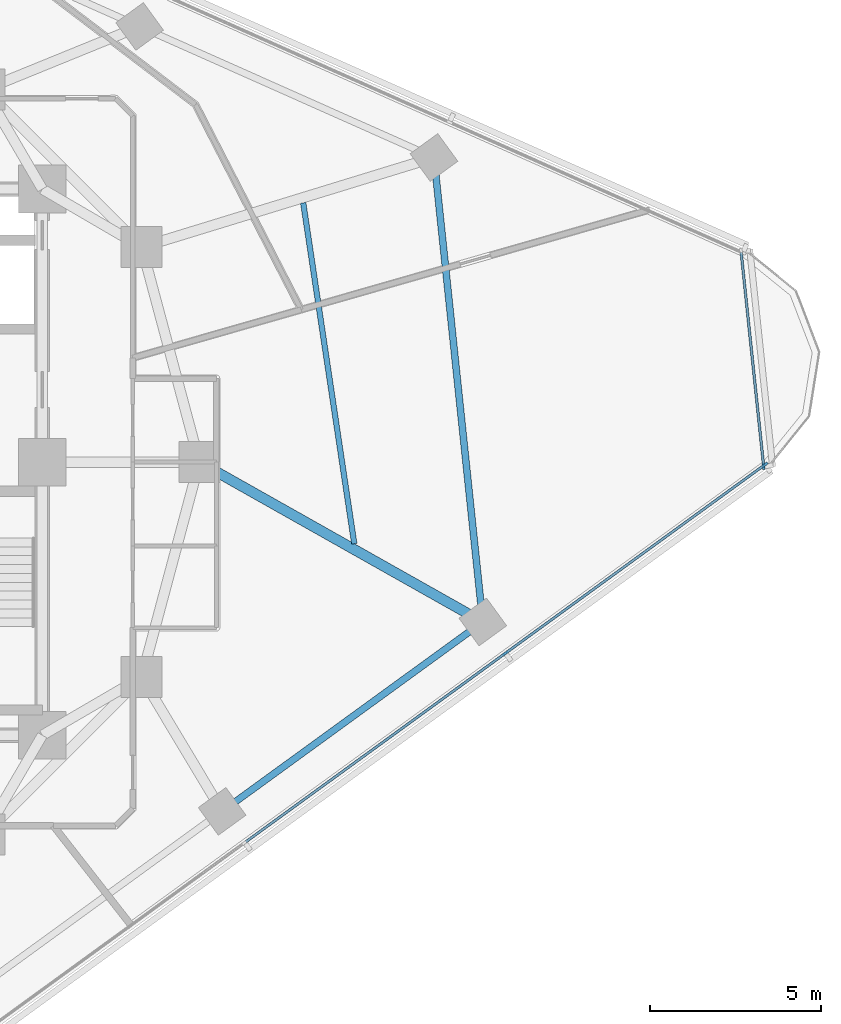
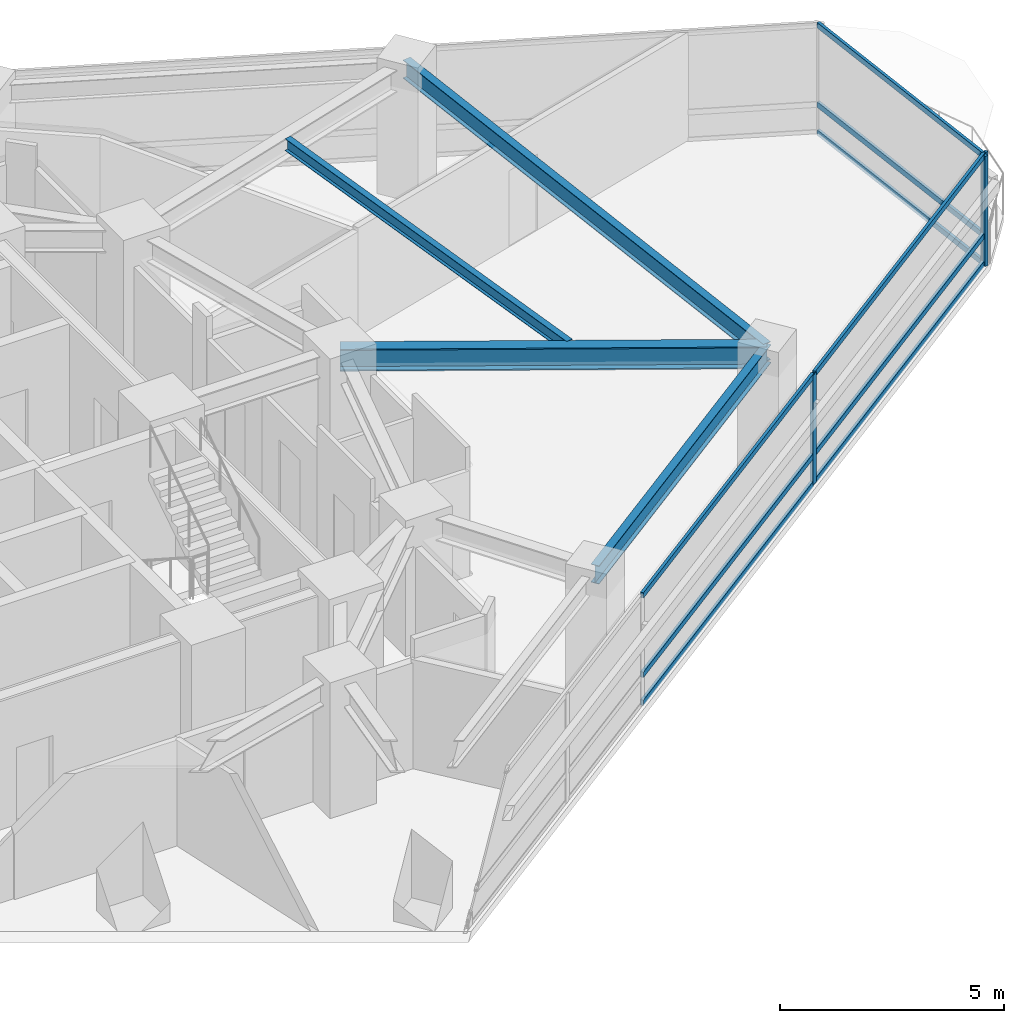
# One storey, part 4 of 14: 12 members, 4 beams, 2 elements without a shape of their own.
"""IFC4 building model written with IfcOpenShell, lengths in metres."""

import ifcopenshell
import ifcopenshell.guid

model = None  # the IFC model being written
_history = None  # IfcOwnerHistory: only IFC2X3 demands one
_inside = {}  # id of a spatial element -> (the spatial element, [elements in it])
_under = {}  # id of a project, library or spatial element -> (it, [spatial elements below it])
_declared = {}  # id of a project -> (the project, [libraries it declares])
_typed = {}  # id of a type object -> (the type object, [elements of that type])
_made_of = {}  # id of a material, layer set ... -> (it, [elements and type objects made of it])


def new_model(schema):
    """Start an empty IFC model of exactly this schema.

    Asked for "IFC4X3", IfcOpenShell would pick the latest addendum, in which some entities
    have other attributes; the version numbers below select the first issue.
    IFC2X3 requires an IfcOwnerHistory on every rooted entity: one is made here for all.
    """
    global model, _history
    if schema == "IFC4X3":
        model = ifcopenshell.file(schema_version=(4, 3, 0, 0))
    else:
        model = ifcopenshell.file(schema=schema)
    _inside.clear()
    _under.clear()
    _declared.clear()
    _typed.clear()
    _made_of.clear()
    _history = None
    if model.schema == "IFC2X3":
        org = make("IfcOrganization", Name="unknown")
        user = make(
            "IfcPersonAndOrganization",
            ThePerson=make("IfcPerson", FamilyName="unknown"),
            TheOrganization=org,
        )
        app = make(
            "IfcApplication",
            ApplicationDeveloper=org,
            Version="unknown",
            ApplicationFullName="unknown",
            ApplicationIdentifier="unknown",
        )
        _history = make(
            "IfcOwnerHistory",
            OwningUser=user,
            OwningApplication=app,
            ChangeAction="ADDED",
            CreationDate=0,
        )
    return model


def make(cls, **values):
    """One entity of the class cls with the attributes given. An attribute that is None is left unset."""
    return model.create_entity(
        cls, **{name: value for name, value in values.items() if value is not None}
    )


def rooted(cls, **values):
    """An entity with a GlobalId (a new one), such as an element, a storey or a relation."""
    return make(cls, GlobalId=ifcopenshell.guid.new(), OwnerHistory=_history, **values)


def si_unit(unit_type, name, prefix=None):
    """IfcSIUnit, for example si_unit("LENGTHUNIT", "METRE", prefix="MILLI")."""
    return make("IfcSIUnit", UnitType=unit_type, Prefix=prefix, Name=name)


def assignment(units):
    """IfcUnitAssignment: the units of a project."""
    return None if units is None else make("IfcUnitAssignment", Units=units)


def point(xyz):
    """IfcCartesianPoint."""
    return None if xyz is None else make("IfcCartesianPoint", Coordinates=xyz)


def direction(xyz):
    """IfcDirection."""
    return None if xyz is None else make("IfcDirection", DirectionRatios=xyz)


def frame(location, z_axis=None, x_axis=None):
    """IfcAxis2Placement3D, a coordinate frame: its origin and axes. An axis left out is left unset."""
    return make(
        "IfcAxis2Placement3D",
        Location=point(location),
        Axis=direction(z_axis),
        RefDirection=direction(x_axis),
    )


def frame_2d(location, x_axis=None):
    """IfcAxis2Placement2D, a coordinate frame in the plane: its origin and x axis."""
    return make(
        "IfcAxis2Placement2D", Location=point(location), RefDirection=direction(x_axis)
    )


def origin():
    """The frame at (0, 0, 0) with its axes left unset."""
    return frame((0.0, 0.0, 0.0))


def origin_2d():
    """The frame at (0, 0) in the plane with its x axis left unset."""
    return frame_2d((0.0, 0.0))


def place(relative_to, where):
    """IfcLocalPlacement: puts the frame where relative to a parent placement (None: the world)."""
    return make(
        "IfcLocalPlacement", PlacementRelTo=relative_to, RelativePlacement=where
    )


def context(
    kind, dimensions, precision=None, world=None, true_north=None, identifier=None
):
    """IfcGeometricRepresentationContext, for example the 3D "Model" context."""
    return make(
        "IfcGeometricRepresentationContext",
        ContextIdentifier=identifier,
        ContextType=kind,
        CoordinateSpaceDimension=dimensions,
        Precision=precision,
        WorldCoordinateSystem=world,
        TrueNorth=true_north,
    )


def subcontext(parent, identifier, kind, view, scale=None):
    """IfcGeometricRepresentationSubContext, for example "Body" below "Model"."""
    return make(
        "IfcGeometricRepresentationSubContext",
        ContextIdentifier=identifier,
        ContextType=kind,
        ParentContext=parent,
        TargetScale=scale,
        TargetView=view,
    )


def project(units=None, contexts=None):
    """IfcProject with its units and contexts."""
    return rooted(
        "IfcProject",
        Name="project",
        RepresentationContexts=contexts,
        UnitsInContext=assignment(units),
    )


def spatial(cls, under=None, at=None, **own):
    """A site, building, storey or space (cls), placed at a placement, below another one or the project."""
    s = rooted(cls, ObjectPlacement=at, **own)
    if under is not None:
        _under.setdefault(under.id(), (under, []))[1].append(s)
    return s


def profile(cls, at=None, kind="AREA", **sizes):
    """A parametric profile (cls). Its sizes go by their IFC names, for example OverallWidth=200.0."""
    return make(cls, ProfileType=kind, Position=at, **sizes)


def rectangle(**sizes):
    """IfcRectangleProfileDef."""
    return profile("IfcRectangleProfileDef", **sizes)


def i_section(**sizes):
    """IfcIShapeProfileDef."""
    return profile("IfcIShapeProfileDef", **sizes)


def extrude(swept, where, along, depth):
    """IfcExtrudedAreaSolid: the profile swept, set in the frame where, extruded along a direction by depth."""
    return make(
        "IfcExtrudedAreaSolid",
        SweptArea=swept,
        Position=where,
        ExtrudedDirection=direction(along),
        Depth=depth,
    )


def shape(context_of_items, identifier, shape_type, items):
    """IfcShapeRepresentation: the items that make up one representation, for example the "Body"."""
    return make(
        "IfcShapeRepresentation",
        ContextOfItems=context_of_items,
        RepresentationIdentifier=identifier,
        RepresentationType=shape_type,
        Items=items,
    )


def material(Name=None, Category=None):
    """IfcMaterial."""
    return make("IfcMaterial", Name=Name, Category=Category)


def layer(
    of_material, thickness, ventilated=None, Name=None, Category=None, Priority=None
):
    """IfcMaterialLayer: one layer of a wall or slab, of a material (None: an air gap)."""
    return make(
        "IfcMaterialLayer",
        Material=of_material,
        LayerThickness=thickness,
        IsVentilated=ventilated,
        Name=Name,
        Category=Category,
        Priority=Priority,
    )


def layer_set(layers, Name=None):
    """IfcMaterialLayerSet."""
    return make("IfcMaterialLayerSet", MaterialLayers=layers, LayerSetName=Name)


def material_profile(
    of_material, cross_section, Name=None, Category=None, Priority=None
):
    """IfcMaterialProfile: a cross section and its material."""
    return make(
        "IfcMaterialProfile",
        Name=Name,
        Material=of_material,
        Profile=cross_section,
        Priority=Priority,
        Category=Category,
    )


def profile_set(profiles, Name=None, composite=None):
    """IfcMaterialProfileSet."""
    return make(
        "IfcMaterialProfileSet",
        Name=Name,
        MaterialProfiles=profiles,
        CompositeProfile=composite,
    )


def made_of(thing, what):
    """Note that an element or type object is made of a material, layer set ...; save() writes the relation."""
    if what is not None:
        _made_of.setdefault(what.id(), (what, []))[1].append(thing)
    return thing


def type_object(cls, material=None, **own):
    """A type object (cls), such as IfcWallType, which elements share."""
    return made_of(rooted(cls, **own), material)


def element(
    cls,
    number,
    at=None,
    inside=None,
    cuts=None,
    type_object=None,
    material=None,
    context=None,
    identifier="Body",
    shape_type=None,
    held_by="IfcProductDefinitionShape",
    body=None,
    shapes=None,
    **own,
):
    """One element of the class cls, such as IfcWall. Its Tag is "e" and its number.

    at: its placement. inside: the storey or other place that contains it. cuts: it is an
    opening in that element (IfcRelVoidsElement). A single representation is given by context,
    identifier, shape_type and body (its items); several are given by shapes. held_by: the class
    of the entity that holds the representations. save() writes the other relations.
    """
    e = rooted(cls, Tag="e%d" % number, ObjectPlacement=at, **own)
    if body is not None:
        shapes = [shape(context, identifier, shape_type, body)]
    if shapes is not None:
        e.Representation = make(held_by, Representations=shapes)
    if inside is not None:
        _inside.setdefault(inside.id(), (inside, []))[1].append(e)
    if cuts is not None:
        rooted(
            "IfcRelVoidsElement", RelatingBuildingElement=cuts, RelatedOpeningElement=e
        )
    if type_object is not None:
        _typed.setdefault(type_object.id(), (type_object, []))[1].append(e)
    return made_of(e, material)


def aggregate(whole, parts):
    """IfcRelAggregates: a whole, such as a stair, and the parts it consists of."""
    return rooted("IfcRelAggregates", RelatingObject=whole, RelatedObjects=parts)


def save(model, path):
    """Write the relations noted so far, then the file.

    IfcRelAggregates (storeys below a building ...), IfcRelContainedInSpatialStructure (elements
    in a storey), IfcRelDefinesByType, IfcRelAssociatesMaterial and IfcRelDeclares: one each for
    every whole, place, type object, material and project.
    """
    for whole, parts in _under.values():
        aggregate(whole, parts)
    for where, things in _inside.values():
        rooted(
            "IfcRelContainedInSpatialStructure",
            RelatedElements=things,
            RelatingStructure=where,
        )
    for kind, things in _typed.values():
        rooted("IfcRelDefinesByType", RelatedObjects=things, RelatingType=kind)
    for what, things in _made_of.values():
        rooted("IfcRelAssociatesMaterial", RelatedObjects=things, RelatingMaterial=what)
    for by, libraries in _declared.values():
        rooted("IfcRelDeclares", RelatingContext=by, RelatedDefinitions=libraries)
    model.write(path)


model = new_model("IFC4")

# Units and contexts
model_context = context("Model", 3, precision=1e-05, world=origin(), true_north=direction((0.0, 1.0)))
body_context = subcontext(model_context, "Body", "Model", "MODEL_VIEW")
ifc_project = project(units=[si_unit("LENGTHUNIT", "METRE"), si_unit("AREAUNIT", "SQUARE_METRE"), si_unit("VOLUMEUNIT", "CUBIC_METRE"), si_unit("PLANEANGLEUNIT", "RADIAN"), si_unit("MASSUNIT", "GRAM", prefix="KILO")], contexts=[model_context])

# Site, building, storey
site_placement = place(None, origin())
site = spatial("IfcSite", under=ifc_project, at=site_placement, CompositionType="ELEMENT")
building_placement = place(site_placement, origin())
building = spatial("IfcBuilding", under=site, at=building_placement, Name="Terralouvre Media Tower", CompositionType="ELEMENT")
storey_placement = place(building_placement, frame((0.0, 0.0, 154.60009765625)))
storey = spatial("IfcBuildingStorey", under=building, at=storey_placement, Name="L39", CompositionType="ELEMENT", Elevation=154.60009765625)

# Beam
ifc_material_1 = material(Name="Structural steel S355J2", Category="steel")
ifc_material_profile_1 = material_profile(ifc_material_1, i_section(OverallWidth=0.159912109375, OverallDepth=0.330078125, WebThickness=0.007568359375, FlangeThickness=0.011474609375, at=origin_2d()), Name="IPE 330")
ifc_profile_set_1 = profile_set([ifc_material_profile_1], Name="Structural steel S355J2")
beam_type_1 = type_object("IfcBeamType", Name="Composite Floor Joist J-IPE330 (IPE 330)", PredefinedType="JOIST", material=ifc_profile_set_1)
beam_1_placement = place(storey_placement, frame((17.1396484375, -2.38916015625, 3.3349609375), z_axis=(-0.148174915539, 0.988961169311, 0.0), x_axis=(-0.988961169311, -0.148174915539, 0.0)))
element("IfcBeam", 1, at=beam_1_placement, inside=storey, type_object=beam_type_1, Name="L39 Framing Beam JT-L39-03", PredefinedType="JOIST", context=body_context, shape_type="SweptSolid", body=[
    extrude(i_section(OverallWidth=0.159912109375, OverallDepth=0.330078125, WebThickness=0.007568359375, FlangeThickness=0.011474609375, at=origin_2d()), origin(), (0.0, 0.0, 1.0), 10.096923828125),
])

# Curtain wall, members
ifc_material_2 = material(Name="Low-iron laminated double glazing with solar-control coating", Category="glass")
ifc_layer_1 = layer(ifc_material_2, 0.1650390625, Name="Production Studio Tower Curtain Wall CW-03")
ifc_layer_set_1 = layer_set([ifc_layer_1], Name="Low-iron laminated double glazing with solar-control coating")
curtain_wall_type_1 = type_object("IfcCurtainWallType", Name="Production Studio Tower Curtain Wall CW-03", PredefinedType="NOTDEFINED", material=ifc_layer_set_1)
curtain_wall_1_placement = place(storey_placement, origin())
curtain_wall_1 = element("IfcCurtainWall", 2, at=curtain_wall_1_placement, inside=storey, type_object=curtain_wall_type_1, Name="L39 Facade Curtain Wall F0", PredefinedType="NOTDEFINED")
ifc_material_3 = material(Name="Anodised extruded aluminium 6063-T6", Category="aluminium")
ifc_material_profile_2 = material_profile(ifc_material_3, rectangle(XDim=0.074951171875, YDim=0.14990234375, at=origin_2d()), Name="ALU 75x150")
ifc_profile_set_2 = profile_set([ifc_material_profile_2], Name="Anodised extruded aluminium 6063-T6")
member_type_1 = type_object("IfcMemberType", Name="Curtain-Wall Horizontal Transom TR-150", PredefinedType="USERDEFINED", material=ifc_profile_set_2)
member_1_placement = place(storey_placement, frame((13.9619140625, -11.123046875, 0.037353515625), z_axis=(0.809023450607, 0.587776365948, 0.0), x_axis=(-0.587776365948, 0.809023450607, 0.0)))
member_1 = element("IfcMember", 3, at=member_1_placement, type_object=member_type_1, Name="CW-03 transom 4.1", ObjectType="TRANSOM", PredefinedType="USERDEFINED", context=body_context, shape_type="SweptSolid", body=[
    extrude(rectangle(XDim=0.074951171875, YDim=0.14990234375, at=origin_2d()), origin(), (0.0, 0.0, 1.0), 9.365234375),
])
member_2_placement = place(storey_placement, frame((13.9619140625, -11.123046875, 0.7998046875), z_axis=(0.809023450607, 0.587776365948, 0.0), x_axis=(-0.587776365948, 0.809023450607, 0.0)))
member_2 = element("IfcMember", 4, at=member_2_placement, type_object=member_type_1, Name="CW-03 transom 4.2", ObjectType="TRANSOM", PredefinedType="USERDEFINED", context=body_context, shape_type="SweptSolid", body=[
    extrude(rectangle(XDim=0.074951171875, YDim=0.14990234375, at=origin_2d()), origin(), (0.0, 0.0, 1.0), 9.365234375),
])
member_3_placement = place(storey_placement, frame((13.9619140625, -11.123046875, 2.96240234375), z_axis=(0.809023450607, 0.587776365948, 0.0), x_axis=(-0.587776365948, 0.809023450607, 0.0)))
member_3 = element("IfcMember", 5, at=member_3_placement, type_object=member_type_1, Name="CW-03 transom 4.3", ObjectType="TRANSOM", PredefinedType="USERDEFINED", context=body_context, shape_type="SweptSolid", body=[
    extrude(rectangle(XDim=0.074951171875, YDim=0.14990234375, at=origin_2d()), origin(), (0.0, 0.0, 1.0), 9.365234375),
])
member_4_placement = place(storey_placement, frame((21.59912109375, -5.574462890625, 0.037353515625), z_axis=(0.809013297727, 0.587790340259, 0.0), x_axis=(-0.587790340259, 0.809013297727, 0.0)))
member_4 = element("IfcMember", 6, at=member_4_placement, type_object=member_type_1, Name="CW-03 transom 5.1", ObjectType="TRANSOM", PredefinedType="USERDEFINED", context=body_context, shape_type="SweptSolid", body=[
    extrude(rectangle(XDim=0.074951171875, YDim=0.14990234375, at=origin_2d()), origin(), (0.0, 0.0, 1.0), 9.32763671875),
])
member_5_placement = place(storey_placement, frame((21.59912109375, -5.574462890625, 0.7998046875), z_axis=(0.809013297727, 0.587790340259, 0.0), x_axis=(-0.587790340259, 0.809013297727, 0.0)))
member_5 = element("IfcMember", 7, at=member_5_placement, type_object=member_type_1, Name="CW-03 transom 5.2", ObjectType="TRANSOM", PredefinedType="USERDEFINED", context=body_context, shape_type="SweptSolid", body=[
    extrude(rectangle(XDim=0.074951171875, YDim=0.14990234375, at=origin_2d()), origin(), (0.0, 0.0, 1.0), 9.32763671875),
])
member_6_placement = place(storey_placement, frame((21.59912109375, -5.574462890625, 2.96240234375), z_axis=(0.809013297727, 0.587790340259, 0.0), x_axis=(-0.587790340259, 0.809013297727, 0.0)))
member_6 = element("IfcMember", 8, at=member_6_placement, type_object=member_type_1, Name="CW-03 transom 5.3", ObjectType="TRANSOM", PredefinedType="USERDEFINED", context=body_context, shape_type="SweptSolid", body=[
    extrude(rectangle(XDim=0.074951171875, YDim=0.14990234375, at=origin_2d()), origin(), (0.0, 0.0, 1.0), 9.32763671875),
])

ifc_material_4 = material(Name="Low-iron laminated double glazing with solar-control coating", Category="glass")
ifc_layer_2 = layer(ifc_material_4, 0.1650390625, Name="Rounded Wind-Corner Curved Glazing CW-04")
ifc_layer_set_2 = layer_set([ifc_layer_2], Name="Low-iron laminated double glazing with solar-control coating")
curtain_wall_type_2 = type_object("IfcCurtainWallType", Name="Rounded Wind-Corner Curved Glazing CW-04", PredefinedType="NOTDEFINED", material=ifc_layer_set_2)
curtain_wall_2_placement = place(storey_placement, origin())
curtain_wall_2 = element("IfcCurtainWall", 9, at=curtain_wall_2_placement, inside=storey, type_object=curtain_wall_type_2, Name="L39 Rounded Wind-Corner Curtain Wall C1", PredefinedType="NOTDEFINED")
member_7_placement = place(storey_placement, frame((29.12939453125, -0.0849609375, 0.037353515625), z_axis=(-0.104542643073, 0.994520404908, 0.0), x_axis=(-0.994520404908, -0.104542643073, 0.0)))
member_7 = element("IfcMember", 10, at=member_7_placement, type_object=member_type_1, Name="CW-04 transom 1.1", ObjectType="TRANSOM", PredefinedType="USERDEFINED", context=body_context, shape_type="SweptSolid", body=[
    extrude(rectangle(XDim=0.074951171875, YDim=0.14990234375, at=origin_2d()), origin(), (0.0, 0.0, 1.0), 6.258544921875),
])
member_8_placement = place(storey_placement, frame((29.12939453125, -0.0849609375, 0.7998046875), z_axis=(-0.104542643073, 0.994520404908, 0.0), x_axis=(-0.994520404908, -0.104542643073, 0.0)))
member_8 = element("IfcMember", 11, at=member_8_placement, type_object=member_type_1, Name="CW-04 transom 1.2", ObjectType="TRANSOM", PredefinedType="USERDEFINED", context=body_context, shape_type="SweptSolid", body=[
    extrude(rectangle(XDim=0.074951171875, YDim=0.14990234375, at=origin_2d()), origin(), (0.0, 0.0, 1.0), 6.258544921875),
])
member_9_placement = place(storey_placement, frame((29.12939453125, -0.0849609375, 2.96240234375), z_axis=(-0.104542643073, 0.994520404908, 0.0), x_axis=(-0.994520404908, -0.104542643073, 0.0)))
member_9 = element("IfcMember", 12, at=member_9_placement, type_object=member_type_1, Name="CW-04 transom 1.3", ObjectType="TRANSOM", PredefinedType="USERDEFINED", context=body_context, shape_type="SweptSolid", body=[
    extrude(rectangle(XDim=0.074951171875, YDim=0.14990234375, at=origin_2d()), origin(), (0.0, 0.0, 1.0), 6.258544921875),
])

# Member
ifc_material_5 = material(Name="Anodised extruded aluminium 6063-T6", Category="aluminium")
ifc_material_profile_3 = material_profile(ifc_material_5, rectangle(XDim=0.074951171875, YDim=0.179931640625, at=origin_2d()), Name="ALU 75x180")
ifc_profile_set_3 = profile_set([ifc_material_profile_3], Name="Anodised extruded aluminium 6063-T6")
member_type_2 = type_object("IfcMemberType", Name="Curtain-Wall Vertical Mullion ML-180", PredefinedType="MULLION", material=ifc_profile_set_3)
member_10_placement = place(storey_placement, frame((21.56884765625, -5.596435546875, 0.0), z_axis=(0.0, 0.0, 1.0), x_axis=(-0.587785358263, 0.809016917383, 0.0)))
member_10 = element("IfcMember", 13, at=member_10_placement, type_object=member_type_2, Name="CW-03 mullion 5", PredefinedType="MULLION", context=body_context, shape_type="SweptSolid", body=[
    extrude(rectangle(XDim=0.074951171875, YDim=0.179931640625, at=origin_2d()), origin(), (0.0, 0.0, 1.0), 3.0),
])

member_11_placement = place(storey_placement, frame((29.175537109375, -0.06982421875, 0.0), z_axis=(0.0, 0.0, 1.0), x_axis=(-0.587785358263, 0.809016917383, 0.0)))
member_11 = element("IfcMember", 14, at=member_11_placement, type_object=member_type_2, Name="CW-03 mullion 6", PredefinedType="MULLION", context=body_context, shape_type="SweptSolid", body=[
    extrude(rectangle(XDim=0.074951171875, YDim=0.179931640625, at=origin_2d()), origin(), (0.0, 0.0, 1.0), 3.0),
])

aggregate(curtain_wall_1, [member_10, member_11, member_1, member_2, member_3, member_4, member_5, member_6])

member_12_placement = place(storey_placement, frame((29.13330078125, -0.122314453125, 0.0), z_axis=(0.0, 0.0, 1.0), x_axis=(-0.994521891172, -0.10452850319, 0.0)))
member_12 = element("IfcMember", 15, at=member_12_placement, type_object=member_type_2, Name="CW-04 mullion 1", PredefinedType="MULLION", context=body_context, shape_type="SweptSolid", body=[
    extrude(rectangle(XDim=0.074951171875, YDim=0.179931640625, at=origin_2d()), origin(), (0.0, 0.0, 1.0), 3.0),
])

aggregate(curtain_wall_2, [member_12, member_7, member_8, member_9])

# Beams
ifc_material_6 = material(Name="Structural steel S355J2", Category="steel")
ifc_material_profile_4 = material_profile(ifc_material_6, i_section(OverallWidth=0.199951171875, OverallDepth=0.5, WebThickness=0.01025390625, FlangeThickness=0.01611328125, at=origin_2d()), Name="IPE 500")
ifc_profile_set_4 = profile_set([ifc_material_profile_4], Name="Structural steel S355J2")
beam_type_2 = type_object("IfcBeamType", Name="Perimeter Spandrel Beam SPB-500 (IPE 500)", PredefinedType="SPANDREL", material=ifc_profile_set_4)
beam_2_placement = place(storey_placement, frame((13.267578125, -10.23095703125, 3.239990234375), z_axis=(0.809016709277, 0.587785644696, 0.0), x_axis=(-0.587785644696, 0.809016709277, 0.0)))
element("IfcBeam", 16, at=beam_2_placement, inside=storey, type_object=beam_type_2, Name="L39 Framing Beam BM-L39-PR05", PredefinedType="SPANDREL", context=body_context, shape_type="SweptSolid", body=[
    extrude(i_section(OverallWidth=0.199951171875, OverallDepth=0.5, WebThickness=0.01025390625, FlangeThickness=0.01611328125, at=origin_2d()), origin(), (0.0, 0.0, 1.0), 9.439697265625),
])
beam_3_placement = place(storey_placement, frame((20.904541015625, -4.682373046875, 3.25), z_axis=(-0.104517607269, 0.99452303632, 0.0), x_axis=(-0.99452303632, -0.104517607269, 0.0)))
element("IfcBeam", 17, at=beam_3_placement, inside=storey, type_object=beam_type_2, Name="L39 Framing Beam BM-L39-PR06", PredefinedType="SPANDREL", context=body_context, shape_type="SweptSolid", body=[
    extrude(i_section(OverallWidth=0.199951171875, OverallDepth=0.5, WebThickness=0.01025390625, FlangeThickness=0.01611328125, at=origin_2d()), origin(), (0.0, 0.0, 1.0), 13.68359375),
])
ifc_material_7 = material(Name="Structural steel S460M", Category="steel")
ifc_material_profile_5 = material_profile(ifc_material_7, i_section(OverallWidth=0.300048828125, OverallDepth=0.60009765625, WebThickness=0.015380859375, FlangeThickness=0.030029296875, at=origin_2d()), Name="HEB 600")
ifc_profile_set_5 = profile_set([ifc_material_profile_5], Name="Structural steel S460M")
beam_type_3 = type_object("IfcBeamType", Name="Primary Floor Girder B-HEB600 (HEB 600)", PredefinedType="BEAM", material=ifc_profile_set_5)
beam_4_placement = place(storey_placement, frame((12.60009765625, 0.0, 3.199951171875), z_axis=(0.871076516642, -0.491147332432, 0.0), x_axis=(0.491147332432, 0.871076516642, 0.0)))
element("IfcBeam", 18, at=beam_4_placement, inside=storey, type_object=beam_type_3, Name="L39 Framing Beam BM-L39-RD06", PredefinedType="BEAM", context=body_context, shape_type="SweptSolid", body=[
    extrude(i_section(OverallWidth=0.300048828125, OverallDepth=0.60009765625, WebThickness=0.015380859375, FlangeThickness=0.030029296875, at=origin_2d()), origin(), (0.0, 0.0, 1.0), 9.533447265625),
])

save(model, "model.ifc")
